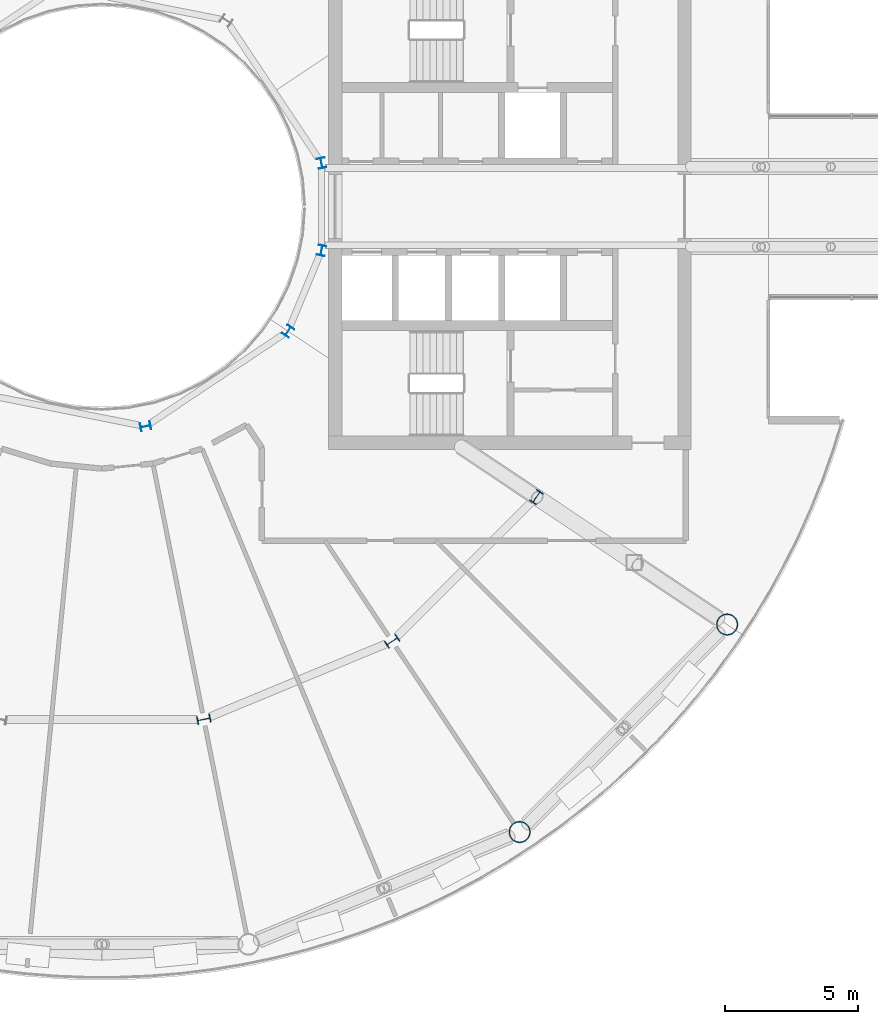
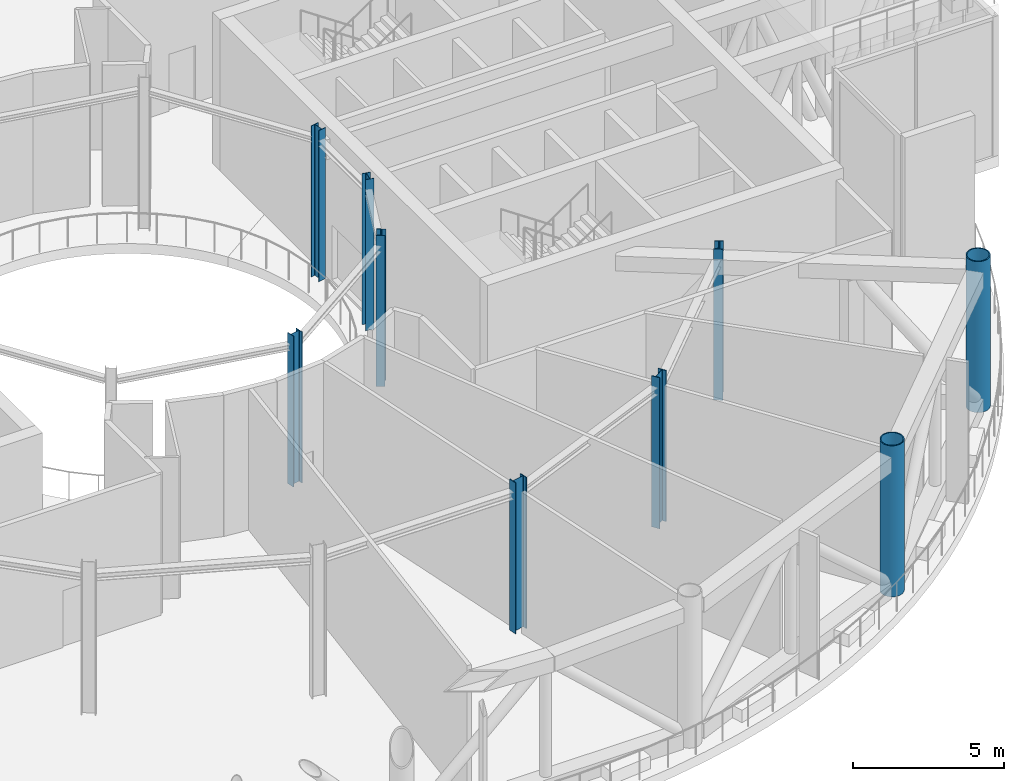
# One storey, part 2 of 24: 9 columns.
"""IFC4 building model written with IfcOpenShell, lengths in metres."""

from ifc_helpers import new_model, si_unit, direction, frame, origin, origin_2d, place, context, subcontext, project, spatial, hollow_circle, i_section, extrude, material, material_profile, profile_set, type_object, element, save


model = new_model("IFC4")

# Units and contexts
model_context = context("Model", 3, precision=1e-05, world=origin(), true_north=direction((0.0, 1.0)))
body_context = subcontext(model_context, "Body", "Model", "MODEL_VIEW")
ifc_project = project(units=[si_unit("LENGTHUNIT", "METRE"), si_unit("AREAUNIT", "SQUARE_METRE"), si_unit("VOLUMEUNIT", "CUBIC_METRE"), si_unit("PLANEANGLEUNIT", "RADIAN"), si_unit("MASSUNIT", "GRAM", prefix="KILO")], contexts=[model_context])

# Site, building, storey
site_placement = place(None, origin())
site = spatial("IfcSite", under=ifc_project, at=site_placement, CompositionType="ELEMENT")
building_placement = place(site_placement, origin())
building = spatial("IfcBuilding", under=site, at=building_placement, Name="Maasbend Ring Residences", CompositionType="ELEMENT")
storey_placement = place(building_placement, frame((0.0, 0.0, 179.89990234375)))
storey = spatial("IfcBuildingStorey", under=building, at=storey_placement, Name="L52", CompositionType="ELEMENT", Elevation=179.89990234375)

# Columns
ifc_material_1 = material(Name="Composite concrete-filled steel tube S460NH / C80/95", Category="concrete")
ifc_material_profile_1 = material_profile(ifc_material_1, hollow_circle(Radius=0.406494140625, WallThickness=0.0400390625, at=origin_2d()), Name="Composite tube column CHS 813x40")
ifc_profile_set_1 = profile_set([ifc_material_profile_1], Name="Composite concrete-filled steel tube S460NH / C80/95")
column_type_1 = type_object("IfcColumnType", Name="Composite tube column CHS 813x40", PredefinedType="COLUMN", material=ifc_profile_set_1)
for number, where, z_axis, x_axis, name in (
    (1, (15.6669921875, -23.447509765625, 0.0), (0.0, 0.0, 1.0), (1.0, 0.0, 0.0), "Outer column R14"),
    (2, (23.447509765625, -15.6669921875, 0.0), (0.0, 0.0, 1.0), (1.0, 0.0, 0.0), "Outer column R15"),
):
    element("IfcColumn", number, at=place(storey_placement, frame(where, z_axis=z_axis, x_axis=x_axis)), inside=storey, type_object=column_type_1, Name=name, PredefinedType="COLUMN", context=body_context, shape_type="SweptSolid", body=[
        extrude(hollow_circle(Radius=0.406494140625, WallThickness=0.0400390625, at=origin_2d()), origin(), (0.0, 0.0, 1.0), 6.10009765625),
    ])
ifc_material_2 = material(Name="Steel S355J2", Category="steel")
ifc_material_profile_2 = material_profile(ifc_material_2, i_section(OverallWidth=0.300048828125, OverallDepth=0.389892578125, WebThickness=0.010986328125, FlangeThickness=0.01904296875, FilletRadius=0.027099609375, at=origin_2d()), Name="HEA 400")
ifc_profile_set_2 = profile_set([ifc_material_profile_2], Name="Steel S355J2")
column_type_2 = type_object("IfcColumnType", Name="Steel column HEA 400", PredefinedType="COLUMN", material=ifc_profile_set_2)
for number, where, z_axis, x_axis, name in (
    (3, (8.238525390625, 1.638916015625, 0.0), (0.0, 0.0, 1.0), (0.980785280403, 0.195090322016, 0.0), "Well ring column R1"),
    (4, (1.638916015625, -8.238525390625, 0.0), (0.0, 0.0, 1.0), (0.195090322016, -0.980785280403, 0.0), "Well ring column R13"),
    (5, (6.984375, -4.666748046875, 0.0), (0.0, 0.0, 1.0), (0.831469612303, -0.55557023302, 0.0), "Well ring column R15"),
    (6, (8.238525390625, -1.638916015625, 0.0), (0.0, 0.0, 1.0), (0.980785280403, -0.195090322016, 0.0), "Well ring column R16"),
):
    element("IfcColumn", number, at=place(storey_placement, frame(where, z_axis=z_axis, x_axis=x_axis)), inside=storey, type_object=column_type_2, Name=name, PredefinedType="COLUMN", context=body_context, shape_type="SweptSolid", body=[
        extrude(i_section(OverallWidth=0.300048828125, OverallDepth=0.389892578125, WebThickness=0.010986328125, FlangeThickness=0.01904296875, FilletRadius=0.027099609375, at=origin_2d()), origin(), (0.0, 0.0, 1.0), 6.10009765625),
    ])
ifc_material_3 = material(Name="Steel S355J2", Category="steel")
ifc_material_profile_3 = material_profile(ifc_material_3, i_section(OverallWidth=0.300048828125, OverallDepth=0.5, WebThickness=0.014404296875, FlangeThickness=0.028076171875, FilletRadius=0.027099609375, at=origin_2d()), Name="HEB 500")
ifc_profile_set_3 = profile_set([ifc_material_profile_3], Name="Steel S355J2")
column_type_3 = type_object("IfcColumnType", Name="Steel column HEB 500", PredefinedType="COLUMN", material=ifc_profile_set_3)
for number, where, z_axis, x_axis, name in (
    (7, (3.82373046875, -19.223388671875, 0.0), (0.0, 0.0, 1.0), (0.195090322016, -0.980785280403, 0.0), "Corridor ring column R13"),
    (8, (10.88916015625, -16.296875, 0.0), (0.0, 0.0, 1.0), (0.55557023302, -0.831469612303, 0.0), "Corridor ring column R14"),
    (9, (16.296875, -10.88916015625, 0.0), (0.0, 0.0, 1.0), (0.831469612303, -0.55557023302, 0.0), "Corridor ring column R15"),
):
    element("IfcColumn", number, at=place(storey_placement, frame(where, z_axis=z_axis, x_axis=x_axis)), inside=storey, type_object=column_type_3, Name=name, PredefinedType="COLUMN", context=body_context, shape_type="SweptSolid", body=[
        extrude(i_section(OverallWidth=0.300048828125, OverallDepth=0.5, WebThickness=0.014404296875, FlangeThickness=0.028076171875, FilletRadius=0.027099609375, at=origin_2d()), origin(), (0.0, 0.0, 1.0), 6.10009765625),
    ])

save(model, "model.ifc")
